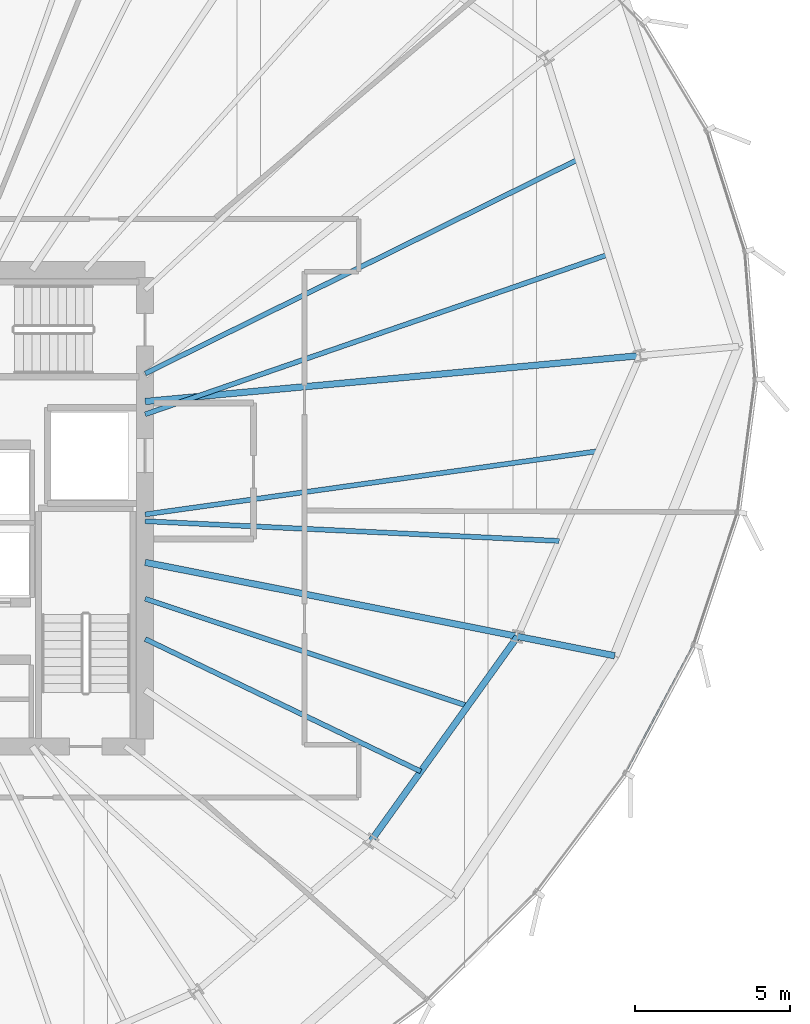
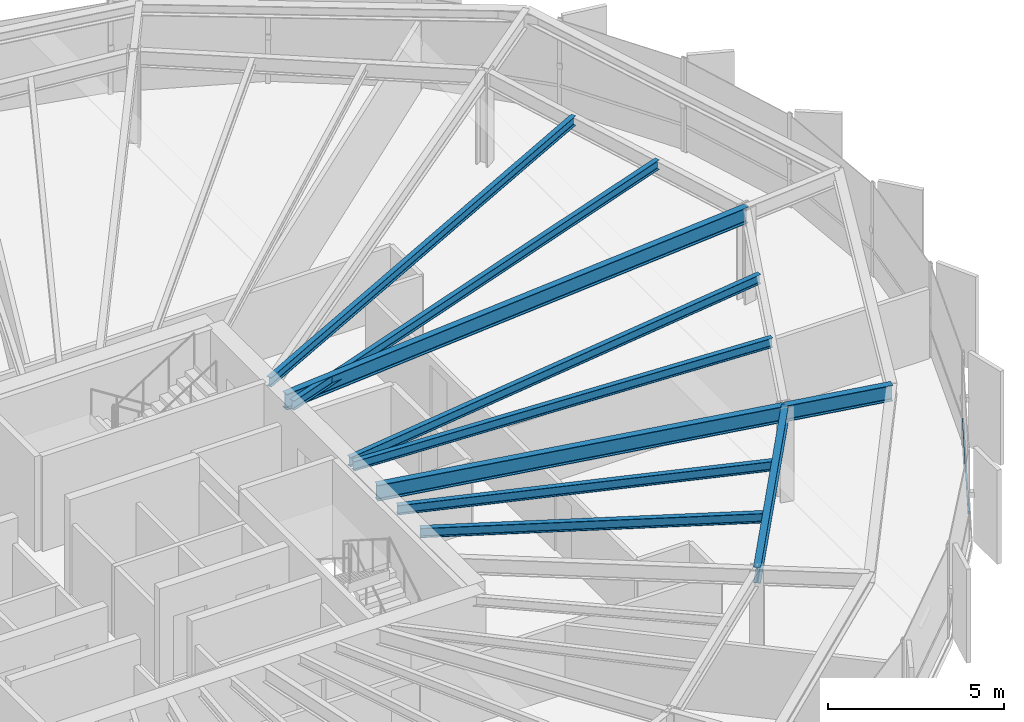
# One storey, part 17 of 37: 10 beams, 1 member, 1 element without a shape of its own.
"""IFC4 building model written with IfcOpenShell, lengths in metres."""

from ifc_helpers import new_model, si_unit, direction, frame, origin, origin_2d, place, context, subcontext, project, spatial, hollow_rectangle, i_section, extrude, source, transform, mapped, material, layer, layer_set, material_profile, profile_set, type_object, element, aggregate, save


model = new_model("IFC4")

# Units and contexts
model_context = context("Model", 3, precision=1e-05, world=origin(), true_north=direction((0.0, 1.0)))
body_context = subcontext(model_context, "Body", "Model", "MODEL_VIEW")
ifc_project = project(units=[si_unit("LENGTHUNIT", "METRE"), si_unit("AREAUNIT", "SQUARE_METRE"), si_unit("VOLUMEUNIT", "CUBIC_METRE"), si_unit("PLANEANGLEUNIT", "RADIAN"), si_unit("MASSUNIT", "GRAM", prefix="KILO"), si_unit("THERMODYNAMICTEMPERATUREUNIT", "KELVIN")], contexts=[model_context])

# Site, building, storey
site_placement = place(None, origin())
site = spatial("IfcSite", under=ifc_project, at=site_placement, CompositionType="ELEMENT")
building_placement = place(site_placement, origin())
building = spatial("IfcBuilding", under=site, at=building_placement, Name="Kethvar Cultural Tower", CompositionType="ELEMENT")
storey_placement = place(building_placement, frame((0.0, 0.0, 132.35009765625)))
storey = spatial("IfcBuildingStorey", under=building, at=storey_placement, Name="L33", CompositionType="ELEMENT", Elevation=132.35009765625)

# Beams
ifc_material_1 = material(Name="Steel S355J2", Category="steel")
ifc_material_profile_1 = material_profile(ifc_material_1, i_section(OverallWidth=0.2099609375, OverallDepth=0.550048828125, WebThickness=0.010986328125, FlangeThickness=0.01708984375, FilletRadius=0.02392578125, at=origin_2d()), Name="Steel S355J2 — IPE550")
ifc_profile_set_1 = profile_set([ifc_material_profile_1], Name="Steel S355J2 — IPE550")
beam_type_1 = type_object("IfcBeamType", Name="BM-IPE550", PredefinedType="BEAM", material=ifc_profile_set_1)
shared_shape_1 = source(origin(), body_context, "Body", "SweptSolid", [
    extrude(i_section(OverallWidth=0.2099609375, OverallDepth=0.550048828125, WebThickness=0.010986328125, FlangeThickness=0.01708984375, FilletRadius=0.02392578125, at=origin_2d()), origin(), (0.0, 0.0, 1.0), 16.071044921875),
])
beam_1_placement = place(storey_placement, frame((55.60009765625, 31.25, 3.02294921875), z_axis=(0.995731009363, 0.092302529718, 0.0), x_axis=(-0.092302529718, 0.995731009363, 0.0)))
element("IfcBeam", 1, at=beam_1_placement, inside=storey, type_object=beam_type_1, Name="L33 Primary Radial Beam RB-01", PredefinedType="BEAM", context=body_context, shape_type="MappedRepresentation", body=[
    mapped(shared_shape_1, transform((0.0, 0.0, 0.0), scale=1.0)),
])
shared_shape_2 = source(origin(), body_context, "Body", "SweptSolid", [
    extrude(i_section(OverallWidth=0.2099609375, OverallDepth=0.550048828125, WebThickness=0.010986328125, FlangeThickness=0.01708984375, FilletRadius=0.02392578125, at=origin_2d()), origin(), (0.0, 0.0, 1.0), 3.199951171875),
])
beam_2_placement = place(storey_placement, frame((67.638671875, 23.65478515625, 3.02294921875), z_axis=(0.980785550224, -0.195088965533, 0.0), x_axis=(0.195088965533, 0.980785550224, 0.0)))
element("IfcBeam", 2, at=beam_2_placement, inside=storey, type_object=beam_type_1, Name="L33 Perimeter Cantilever Beam RC-16", PredefinedType="BEAM", context=body_context, shape_type="MappedRepresentation", body=[
    mapped(shared_shape_2, transform((0.0, 0.0, 0.0), scale=1.0)),
])
shared_shape_3 = source(origin(), body_context, "Body", "SweptSolid", [
    extrude(i_section(OverallWidth=0.2099609375, OverallDepth=0.550048828125, WebThickness=0.010986328125, FlangeThickness=0.01708984375, FilletRadius=0.02392578125, at=origin_2d()), origin(), (0.0, 0.0, 1.0), 12.2744140625),
])
beam_3_placement = place(storey_placement, frame((55.60009765625, 26.049560546875, 3.02294921875), z_axis=(0.980782878234, -0.195102398146, 0.0), x_axis=(0.195102398146, 0.980782878234, 0.0)))
element("IfcBeam", 3, at=beam_3_placement, inside=storey, type_object=beam_type_1, Name="L33 Primary Radial Beam RB-16", PredefinedType="BEAM", context=body_context, shape_type="MappedRepresentation", body=[
    mapped(shared_shape_3, transform((0.0, 0.0, 0.0), scale=1.0)),
])
ifc_material_profile_2 = material_profile(ifc_material_1, i_section(OverallWidth=0.159912109375, OverallDepth=0.330078125, WebThickness=0.007568359375, FlangeThickness=0.011474609375, FilletRadius=0.01806640625, at=origin_2d()), Name="Steel S355J2 — IPE330")
ifc_profile_set_2 = profile_set([ifc_material_profile_2], Name="Steel S355J2 — IPE330")
beam_type_2 = type_object("IfcBeamType", Name="BM-J330", PredefinedType="JOIST", material=ifc_profile_set_2)
shared_shape_4 = source(origin(), body_context, "Body", "SweptSolid", [
    extrude(i_section(OverallWidth=0.159912109375, OverallDepth=0.330078125, WebThickness=0.007568359375, FlangeThickness=0.011474609375, FilletRadius=0.01806640625, at=origin_2d()), origin(), (0.0, 0.0, 1.0), 15.836669921875),
])
beam_4_placement = place(storey_placement, frame((55.60009765625, 30.836181640625, 3.1328125), z_axis=(0.945315135904, 0.326158387644, 0.0), x_axis=(-0.326158387644, 0.945315135904, 0.0)))
element("IfcBeam", 4, at=beam_4_placement, inside=storey, type_object=beam_type_2, Name="L33 Composite Floor Joist J-01A", PredefinedType="JOIST", context=body_context, shape_type="MappedRepresentation", body=[
    mapped(shared_shape_4, transform((0.0, 0.0, 0.0), scale=1.0)),
])
shared_shape_5 = source(origin(), body_context, "Body", "SweptSolid", [
    extrude(i_section(OverallWidth=0.159912109375, OverallDepth=0.330078125, WebThickness=0.007568359375, FlangeThickness=0.011474609375, FilletRadius=0.01806640625, at=origin_2d()), origin(), (0.0, 0.0, 1.0), 15.618896484375),
])
beam_5_placement = place(storey_placement, frame((55.60009765625, 32.152587890625, 3.1328125), z_axis=(0.896344638992, 0.443357968408, 0.0), x_axis=(-0.443357968408, 0.896344638992, 0.0)))
element("IfcBeam", 5, at=beam_5_placement, inside=storey, type_object=beam_type_2, Name="L33 Composite Floor Joist J-01B", PredefinedType="JOIST", context=body_context, shape_type="MappedRepresentation", body=[
    mapped(shared_shape_5, transform((0.0, 0.0, 0.0), scale=1.0)),
])
shared_shape_6 = source(origin(), body_context, "Body", "SweptSolid", [
    extrude(i_section(OverallWidth=0.2099609375, OverallDepth=0.550048828125, WebThickness=0.010986328125, FlangeThickness=0.01708984375, FilletRadius=0.02392578125, at=origin_2d()), origin(), (0.0, 0.0, 1.0), 8.13525390625),
])
beam_6_placement = place(storey_placement, frame((62.898681640625, 17.043212890625, 3.02294921875), z_axis=(0.582656731995, 0.812718359988, 0.0), x_axis=(-0.812718359988, 0.582656731995, 0.0)))
element("IfcBeam", 6, at=beam_6_placement, inside=storey, type_object=beam_type_1, Name="L33 Column Ring Tie Beam CR-15", PredefinedType="BEAM", context=body_context, shape_type="MappedRepresentation", body=[
    mapped(shared_shape_6, transform((0.0, 0.0, 0.0), scale=1.0)),
])
shared_shape_7 = source(origin(), body_context, "Body", "SweptSolid", [
    extrude(i_section(OverallWidth=0.159912109375, OverallDepth=0.330078125, WebThickness=0.007568359375, FlangeThickness=0.011474609375, FilletRadius=0.01806640625, at=origin_2d()), origin(), (0.0, 0.0, 1.0), 9.885009765625),
])
beam_7_placement = place(storey_placement, frame((55.60009765625, 23.572021484375, 3.1328125), z_axis=(0.901369611334, -0.43305060185, 0.0), x_axis=(0.43305060185, 0.901369611334, 0.0)))
element("IfcBeam", 7, at=beam_7_placement, inside=storey, type_object=beam_type_2, Name="L33 Composite Floor Joist J-15A", PredefinedType="JOIST", context=body_context, shape_type="MappedRepresentation", body=[
    mapped(shared_shape_7, transform((0.0, 0.0, 0.0), scale=1.0)),
])
shared_shape_8 = source(origin(), body_context, "Body", "SweptSolid", [
    extrude(i_section(OverallWidth=0.159912109375, OverallDepth=0.330078125, WebThickness=0.007568359375, FlangeThickness=0.011474609375, FilletRadius=0.01806640625, at=origin_2d()), origin(), (0.0, 0.0, 1.0), 10.98828125),
])
beam_8_placement = place(storey_placement, frame((55.60009765625, 24.8740234375, 3.1328125), z_axis=(0.948918548228, -0.315521138481, 0.0), x_axis=(0.315521138481, 0.948918548228, 0.0)))
element("IfcBeam", 8, at=beam_8_placement, inside=storey, type_object=beam_type_2, Name="L33 Composite Floor Joist J-15B", PredefinedType="JOIST", context=body_context, shape_type="MappedRepresentation", body=[
    mapped(shared_shape_8, transform((0.0, 0.0, 0.0), scale=1.0)),
])
shared_shape_9 = source(origin(), body_context, "Body", "SweptSolid", [
    extrude(i_section(OverallWidth=0.159912109375, OverallDepth=0.330078125, WebThickness=0.007568359375, FlangeThickness=0.011474609375, FilletRadius=0.01806640625, at=origin_2d()), origin(), (0.0, 0.0, 1.0), 13.4013671875),
])
beam_9_placement = place(storey_placement, frame((55.60009765625, 27.380126953125, 3.1328125), z_axis=(0.998864631653, -0.047638719894, 0.0), x_axis=(0.047638719894, 0.998864631653, 0.0)))
element("IfcBeam", 9, at=beam_9_placement, inside=storey, type_object=beam_type_2, Name="L33 Composite Floor Joist J-16A", PredefinedType="JOIST", context=body_context, shape_type="MappedRepresentation", body=[
    mapped(shared_shape_9, transform((0.0, 0.0, 0.0), scale=1.0)),
])
shared_shape_10 = source(origin(), body_context, "Body", "SweptSolid", [
    extrude(i_section(OverallWidth=0.159912109375, OverallDepth=0.330078125, WebThickness=0.007568359375, FlangeThickness=0.011474609375, FilletRadius=0.01806640625, at=origin_2d()), origin(), (0.0, 0.0, 1.0), 14.797119140625),
])
beam_10_placement = place(storey_placement, frame((55.60009765625, 27.60009765625, 3.1328125), z_axis=(0.990388450305, 0.138313836986, 0.0), x_axis=(-0.138313836986, 0.990388450305, 0.0)))
element("IfcBeam", 10, at=beam_10_placement, inside=storey, type_object=beam_type_2, Name="L33 Composite Floor Joist J-16B", PredefinedType="JOIST", context=body_context, shape_type="MappedRepresentation", body=[
    mapped(shared_shape_10, transform((0.0, 0.0, 0.0), scale=1.0)),
])

# Curtain wall, member
ifc_material_2 = material(Name="Aluminium 6063-T6", Category="aluminium")
ifc_layer = layer(ifc_material_2, 0.179931640625, Name="Aluminium 6063-T6", Category="aluminium")
ifc_layer_set = layer_set([ifc_layer], Name="Aluminium 6063-T6 (180 mm)")
curtain_wall_type = type_object("IfcCurtainWallType", Name="CW-SYS-04-Z34", PredefinedType="NOTDEFINED", material=ifc_layer_set)
curtain_wall_placement = place(storey_placement, origin())
curtain_wall = element("IfcCurtainWall", 11, at=curtain_wall_placement, inside=storey, type_object=curtain_wall_type, Name="L33 Curtain Wall Run 06", PredefinedType="NOTDEFINED")
ifc_material_profile_3 = material_profile(ifc_material_2, hollow_rectangle(XDim=0.050048828125, YDim=0.10009765625, WallThickness=0.00390625, at=origin_2d()), Name="Aluminium 6063-T6 — RHS100x50x4")
ifc_profile_set_3 = profile_set([ifc_material_profile_3], Name="Aluminium 6063-T6 — RHS100x50x4")
member_type = type_object("IfcMemberType", Name="CW-SYS-04-Z34-TRN", PredefinedType="USERDEFINED", material=ifc_profile_set_3)
shared_shape_11 = source(origin(), body_context, "Body", "SweptSolid", [
    extrude(hollow_rectangle(XDim=0.050048828125, YDim=0.10009765625, WallThickness=0.00390625, at=origin_2d()), origin(), (0.0, 0.0, 1.0), 4.6259765625),
])
member_placement = place(storey_placement, frame((71.138671875, 19.283203125, 0.949951171875), z_axis=(0.470138929281, 0.882592424154, 0.0), x_axis=(-0.882592424154, 0.470138929281, 0.0)))
member = element("IfcMember", 12, at=member_placement, type_object=member_type, Name="CW-L33-R06 Transom 2", ObjectType="TRANSOM", PredefinedType="USERDEFINED", context=body_context, shape_type="MappedRepresentation", body=[
    mapped(shared_shape_11, transform((0.0, 0.0, 0.0), scale=1.0)),
])
aggregate(curtain_wall, [member])

save(model, "model.ifc")
